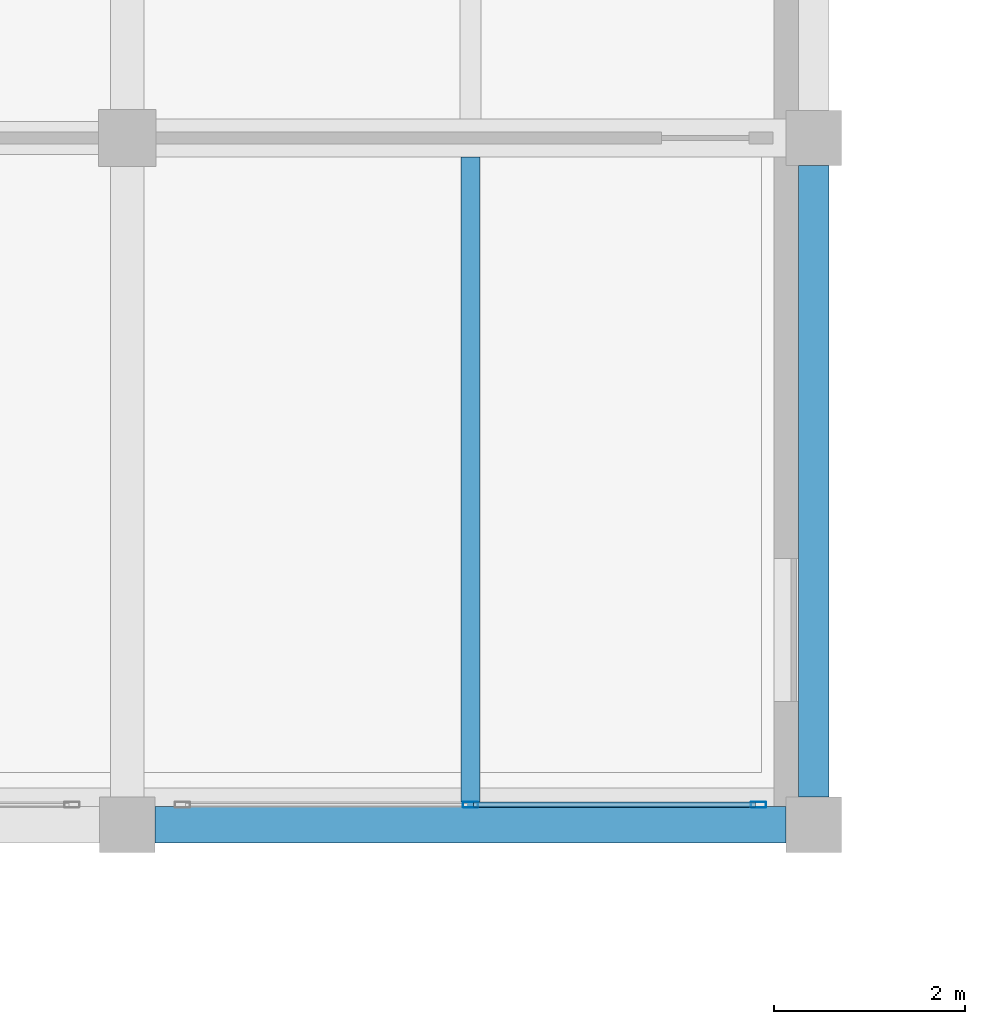
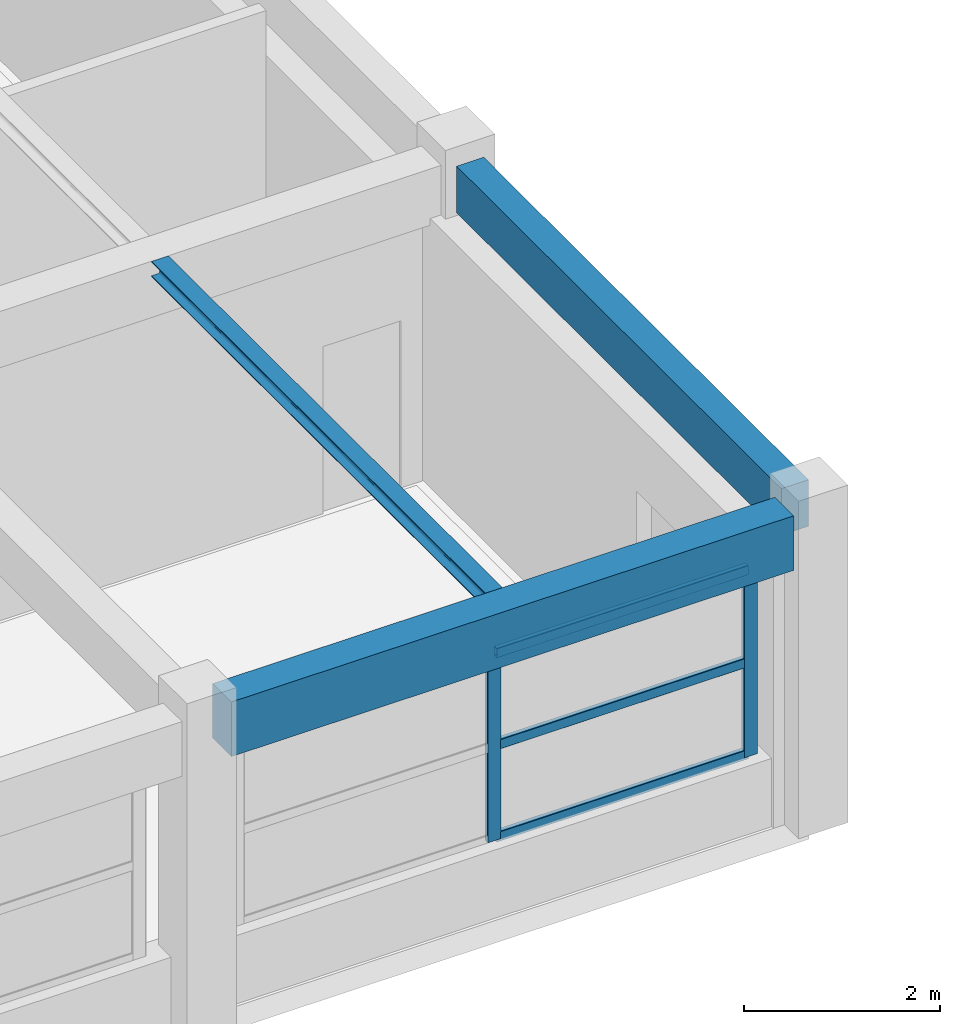
# One storey, part 13 of 49: 5 members, 3 beams, 1 element without a shape of its own.
"""IFC4 building model written with IfcOpenShell, lengths in metres."""

from ifc_helpers import new_model, si_unit, direction, frame, origin, origin_2d, place, context, subcontext, project, spatial, rectangle, hollow_rectangle, i_section, extrude, material, material_profile, profile_set, type_object, element, aggregate, save


model = new_model("IFC4")

# Units and contexts
model_context = context("Model", 3, precision=1e-05, world=origin(), true_north=direction((0.0, 1.0)))
body_context = subcontext(model_context, "Body", "Model", "MODEL_VIEW")
ifc_project = project(units=[si_unit("LENGTHUNIT", "METRE"), si_unit("AREAUNIT", "SQUARE_METRE"), si_unit("VOLUMEUNIT", "CUBIC_METRE"), si_unit("PLANEANGLEUNIT", "RADIAN"), si_unit("MASSUNIT", "GRAM", prefix="KILO")], contexts=[model_context])

# Site, building, storey
site_placement = place(None, origin())
site = spatial("IfcSite", under=ifc_project, at=site_placement, CompositionType="ELEMENT")
building_placement = place(site_placement, origin())
building = spatial("IfcBuilding", under=site, at=building_placement, Name="Bramveld Media Centre", CompositionType="ELEMENT")
storey_placement = place(building_placement, frame((0.0, 0.0, 9.60009765625)))
storey = spatial("IfcBuildingStorey", under=building, at=storey_placement, Name="L02", CompositionType="ELEMENT", Elevation=9.60009765625)

# Curtain wall, members
ifc_material_1 = material(Name="Thermally broken anodized bronze aluminium unitized curtain wall with solar-control triple glazing", Category="aluminium")
curtain_wall_type = type_object("IfcCurtainWallType", Name="CW-FACV6-6100x2350", PredefinedType="NOTDEFINED", material=ifc_material_1)
curtain_wall_placement = place(storey_placement, origin())
curtain_wall = element("IfcCurtainWall", 1, at=curtain_wall_placement, inside=storey, type_object=curtain_wall_type, Name="V6 L02 S curtain wall bay 6", PredefinedType="NOTDEFINED")
ifc_material_2 = material(Name="Thermally broken anodized bronze aluminium EN AW-6063 T6 curtain-wall framing", Category="aluminium")
ifc_material_profile_1 = material_profile(ifc_material_2, hollow_rectangle(XDim=0.06005859375, YDim=0.159912109375, WallThickness=0.00390625, InnerFilletRadius=0.00390625, OuterFilletRadius=0.008056640625, at=origin_2d()), Name="AL-MULL 60x160")
ifc_profile_set_1 = profile_set([ifc_material_profile_1], Name="Thermally broken anodized bronze aluminium EN AW-6063 T6 curtain-wall framing")
member_type_1 = type_object("IfcMemberType", Name="CW-MULL-EXT", PredefinedType="MULLION", material=ifc_profile_set_1)
member_1_placement = place(storey_placement, frame((105.199951171875, 90.610107421875, 0.849853515625), z_axis=(0.0, 0.0, 1.0), x_axis=(0.0, 1.0, 0.0)))
member_1 = element("IfcMember", 2, at=member_1_placement, type_object=member_type_1, Name="CW-FA-6123 mullion 2", PredefinedType="MULLION", context=body_context, shape_type="SweptSolid", body=[
    extrude(hollow_rectangle(XDim=0.06005859375, YDim=0.159912109375, WallThickness=0.00390625, InnerFilletRadius=0.00390625, OuterFilletRadius=0.008056640625, at=origin_2d()), origin(), (0.0, 0.0, 1.0), 2.35009765625),
])
member_2_placement = place(storey_placement, frame((108.219970703125, 90.610107421875, 0.849853515625), z_axis=(0.0, 0.0, 1.0), x_axis=(0.0, 1.0, 0.0)))
member_2 = element("IfcMember", 3, at=member_2_placement, type_object=member_type_1, Name="CW-FA-6123 mullion 3", PredefinedType="MULLION", context=body_context, shape_type="SweptSolid", body=[
    extrude(hollow_rectangle(XDim=0.06005859375, YDim=0.159912109375, WallThickness=0.00390625, InnerFilletRadius=0.00390625, OuterFilletRadius=0.008056640625, at=origin_2d()), origin(), (0.0, 0.0, 1.0), 2.35009765625),
])
ifc_material_3 = material(Name="Thermally broken anodized bronze aluminium EN AW-6063 T6 curtain-wall framing", Category="aluminium")
ifc_material_profile_2 = material_profile(ifc_material_3, hollow_rectangle(XDim=0.06005859375, YDim=0.1201171875, WallThickness=0.00341796875, InnerFilletRadius=0.00341796875, OuterFilletRadius=0.007080078125, at=origin_2d()), Name="AL-TRAN 60x120")
ifc_profile_set_2 = profile_set([ifc_material_profile_2], Name="Thermally broken anodized bronze aluminium EN AW-6063 T6 curtain-wall framing")
member_type_2 = type_object("IfcMemberType", Name="CW-TRAN-EXT", PredefinedType="USERDEFINED", material=ifc_profile_set_2)
member_3_placement = place(storey_placement, frame((105.22998046875, 90.610107421875, 0.8798828125), z_axis=(1.0, 0.0, 0.0), x_axis=(0.0, 1.0, 0.0)))
member_3 = element("IfcMember", 4, at=member_3_placement, type_object=member_type_2, Name="CW-FA-6123 transom 2.1", ObjectType="TRANSOM", PredefinedType="USERDEFINED", context=body_context, shape_type="SweptSolid", body=[
    extrude(hollow_rectangle(XDim=0.06005859375, YDim=0.1201171875, WallThickness=0.00341796875, InnerFilletRadius=0.00341796875, OuterFilletRadius=0.007080078125, at=origin_2d()), origin(), (0.0, 0.0, 1.0), 2.9599609375),
])
member_4_placement = place(storey_placement, frame((105.22998046875, 90.610107421875, 2.02490234375), z_axis=(1.0, 0.0, 0.0), x_axis=(0.0, 1.0, 0.0)))
member_4 = element("IfcMember", 5, at=member_4_placement, type_object=member_type_2, Name="CW-FA-6123 transom 2.2", ObjectType="TRANSOM", PredefinedType="USERDEFINED", context=body_context, shape_type="SweptSolid", body=[
    extrude(hollow_rectangle(XDim=0.06005859375, YDim=0.1201171875, WallThickness=0.00341796875, InnerFilletRadius=0.00341796875, OuterFilletRadius=0.007080078125, at=origin_2d()), origin(), (0.0, 0.0, 1.0), 2.9599609375),
])
member_5_placement = place(storey_placement, frame((105.22998046875, 90.610107421875, 3.169921875), z_axis=(1.0, 0.0, 0.0), x_axis=(0.0, 1.0, 0.0)))
member_5 = element("IfcMember", 6, at=member_5_placement, type_object=member_type_2, Name="CW-FA-6123 transom 2.3", ObjectType="TRANSOM", PredefinedType="USERDEFINED", context=body_context, shape_type="SweptSolid", body=[
    extrude(hollow_rectangle(XDim=0.06005859375, YDim=0.1201171875, WallThickness=0.00341796875, InnerFilletRadius=0.00341796875, OuterFilletRadius=0.007080078125, at=origin_2d()), origin(), (0.0, 0.0, 1.0), 2.9599609375),
])
aggregate(curtain_wall, [member_1, member_2, member_3, member_4, member_5])

# Beams
ifc_material_4 = material(Name="Steel S355J2", Category="steel")
ifc_material_profile_3 = material_profile(ifc_material_4, i_section(OverallWidth=0.199951171875, OverallDepth=0.18994140625, WebThickness=0.006591796875, FlangeThickness=0.010009765625, FilletRadius=0.01806640625, at=origin_2d()), Name="HEA 200")
ifc_profile_set_3 = profile_set([ifc_material_profile_3], Name="Steel S355J2")
beam_type_1 = type_object("IfcBeamType", Name="SBM-INT-HEA-200", PredefinedType="BEAM", material=ifc_profile_set_3)
beam_1_placement = place(storey_placement, frame((105.199951171875, 90.590087890625, 3.864990234375), z_axis=(0.0, 1.0, 0.0), x_axis=(-1.0, 0.0, 0.0)))
element("IfcBeam", 7, at=beam_1_placement, inside=storey, type_object=beam_type_1, Name="V6 L02 secondary floor joist 1130", PredefinedType="BEAM", context=body_context, shape_type="SweptSolid", body=[
    extrude(i_section(OverallWidth=0.199951171875, OverallDepth=0.18994140625, WebThickness=0.006591796875, FlangeThickness=0.010009765625, FilletRadius=0.01806640625, at=origin_2d()), origin(), (0.0, 0.0, 1.0), 6.809814453125),
])
ifc_material_5 = material(Name="Concrete C40/50", Category="concrete")
ifc_material_profile_4 = material_profile(ifc_material_5, rectangle(XDim=0.320068359375, YDim=0.580078125, at=origin_2d()), Name="RC 320x580")
ifc_profile_set_4 = profile_set([ifc_material_profile_4], Name="Concrete C40/50")
beam_type_2 = type_object("IfcBeamType", Name="SPANDREL-EXT-RC-320x580", PredefinedType="SPANDREL", material=ifc_profile_set_4)
beam_2_placement = place(storey_placement, frame((108.800048828125, 90.68994140625, 3.669921875), z_axis=(0.0, 1.0, 0.0), x_axis=(-1.0, 0.0, 0.0)))
element("IfcBeam", 8, at=beam_2_placement, inside=storey, type_object=beam_type_2, Name="V6 L02 girder Y-1112", PredefinedType="SPANDREL", context=body_context, shape_type="SweptSolid", body=[
    extrude(rectangle(XDim=0.320068359375, YDim=0.580078125, at=origin_2d()), origin(), (0.0, 0.0, 1.0), 6.6201171875),
])
ifc_material_6 = material(Name="Concrete C40/50", Category="concrete")
ifc_material_profile_5 = material_profile(ifc_material_6, rectangle(XDim=0.3798828125, YDim=0.679931640625, at=origin_2d()), Name="RC 380x680")
ifc_profile_set_5 = profile_set([ifc_material_profile_5], Name="Concrete C40/50")
beam_type_3 = type_object("IfcBeamType", Name="SPANDREL-EXT-RC-380x680", PredefinedType="SPANDREL", material=ifc_profile_set_5)
beam_3_placement = place(storey_placement, frame((101.889892578125, 90.39990234375, 3.619873046875), z_axis=(1.0, 0.0, 0.0), x_axis=(0.0, 1.0, 0.0)))
element("IfcBeam", 9, at=beam_3_placement, inside=storey, type_object=beam_type_3, Name="V6 L02 girder X-1069", PredefinedType="SPANDREL", context=body_context, shape_type="SweptSolid", body=[
    extrude(rectangle(XDim=0.3798828125, YDim=0.679931640625, at=origin_2d()), origin(), (0.0, 0.0, 1.0), 6.6201171875),
])

save(model, "model.ifc")
